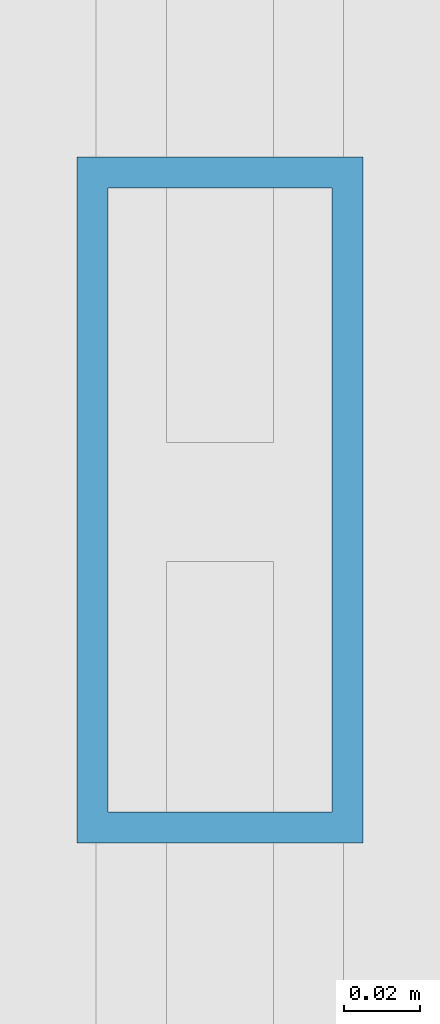
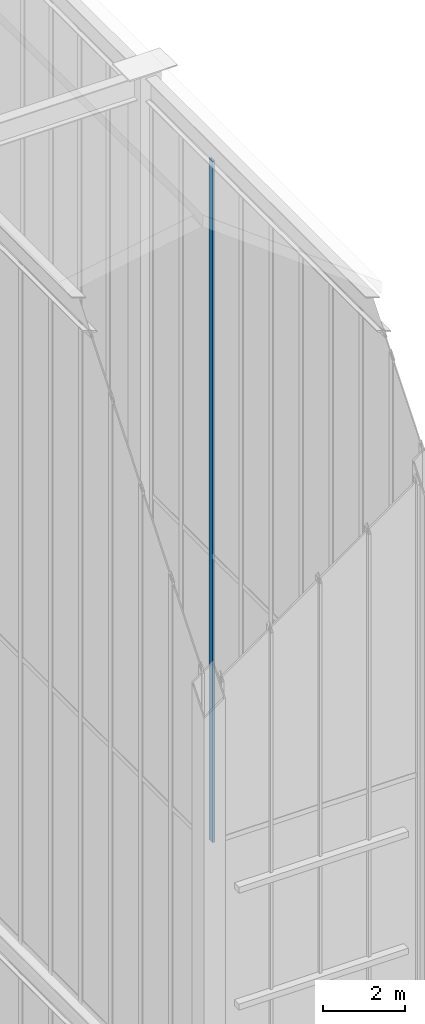
# One storey, part 73 of 135: 1 member, 1 element without a shape of its own.
"""IFC4 building model written with IfcOpenShell, lengths in metres."""

from ifc_helpers import new_model, si_unit, direction, frame, origin, origin_2d, place, context, subcontext, project, spatial, hollow_rectangle, extrude, source, transform, mapped, material, layer, layer_set, material_profile, profile_set, type_object, element, aggregate, save


model = new_model("IFC4")

# Units and contexts
model_context = context("Model", 3, precision=1e-05, world=origin(), true_north=direction((0.0, 1.0)))
body_context = subcontext(model_context, "Body", "Model", "MODEL_VIEW")
ifc_project = project(units=[si_unit("LENGTHUNIT", "METRE"), si_unit("AREAUNIT", "SQUARE_METRE"), si_unit("VOLUMEUNIT", "CUBIC_METRE"), si_unit("PLANEANGLEUNIT", "RADIAN"), si_unit("MASSUNIT", "GRAM", prefix="KILO")], contexts=[model_context])

# Site, building, storey
site_placement = place(None, origin())
site = spatial("IfcSite", under=ifc_project, at=site_placement, CompositionType="ELEMENT")
building_placement = place(site_placement, origin())
building = spatial("IfcBuilding", under=site, at=building_placement, Name="Giltprow Tower", CompositionType="ELEMENT")
storey_placement = place(building_placement, frame((0.0, 0.0, 352.699951171875)))
storey = spatial("IfcBuildingStorey", under=building, at=storey_placement, Name="L92", CompositionType="ELEMENT", Elevation=352.699951171875)

# Curtain wall, member
ifc_material = material(Name="Anodized bronze", Category="metal")
ifc_layer = layer(ifc_material, 0.179931640625, Name="Anodized bronze")
ifc_layer_set = layer_set([ifc_layer], Name="Anodized bronze")
curtain_wall_type = type_object("IfcCurtainWallType", Name="CW-CROWN-LANTERN", PredefinedType="NOTDEFINED", material=ifc_layer_set)
curtain_wall_placement = place(storey_placement, origin())
curtain_wall = element("IfcCurtainWall", 1, at=curtain_wall_placement, inside=storey, type_object=curtain_wall_type, Name="Crown East Upper Lantern Glazing 2", PredefinedType="NOTDEFINED")
ifc_material_profile = material_profile(ifc_material, hollow_rectangle(XDim=0.074951171875, YDim=0.179931640625, WallThickness=0.008056640625, at=origin_2d()), Name="RHS 180x75x8")
ifc_profile_set = profile_set([ifc_material_profile], Name="Anodized bronze")
member_type = type_object("IfcMemberType", Name="CW-MULLION-180x75", PredefinedType="MULLION", material=ifc_profile_set)
shared_shape = source(origin(), body_context, "Body", "SweptSolid", [
    extrude(hollow_rectangle(XDim=0.074951171875, YDim=0.179931640625, WallThickness=0.008056640625, at=origin_2d()), origin(), (0.0, 0.0, 1.0), 20.406005859375),
])
member_placement = place(storey_placement, frame((50.550048828125, 34.156005859375, 17.25), z_axis=(0.0, 0.0, 1.0), x_axis=(1.0, 0.0, 0.0)))
member = element("IfcMember", 2, at=member_placement, type_object=member_type, Name="Crown East Upper Lantern Glazing 2 Mullion 8", PredefinedType="MULLION", context=body_context, shape_type="MappedRepresentation", body=[
    mapped(shared_shape, transform((0.0, 0.0, 0.0), x_axis=(1.0, 0.0, 0.0), y_axis=(0.0, 1.0, 0.0), z_axis=(0.0, 0.0, 1.0), scale=1.0)),
])
aggregate(curtain_wall, [member])

save(model, "model.ifc")
